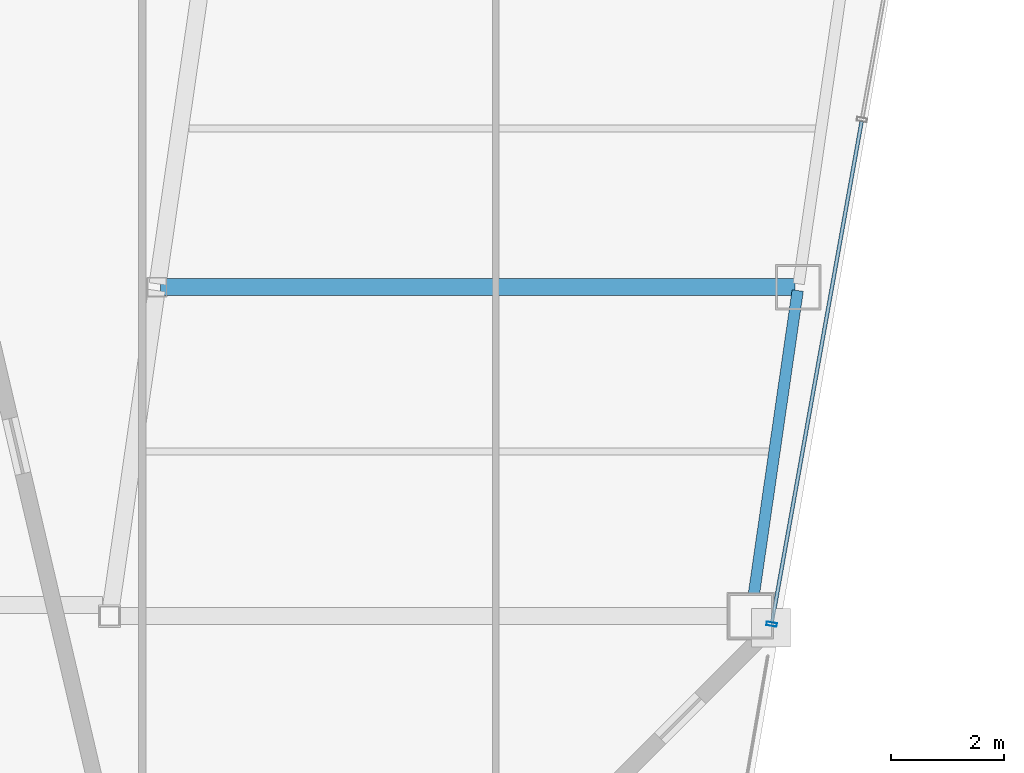
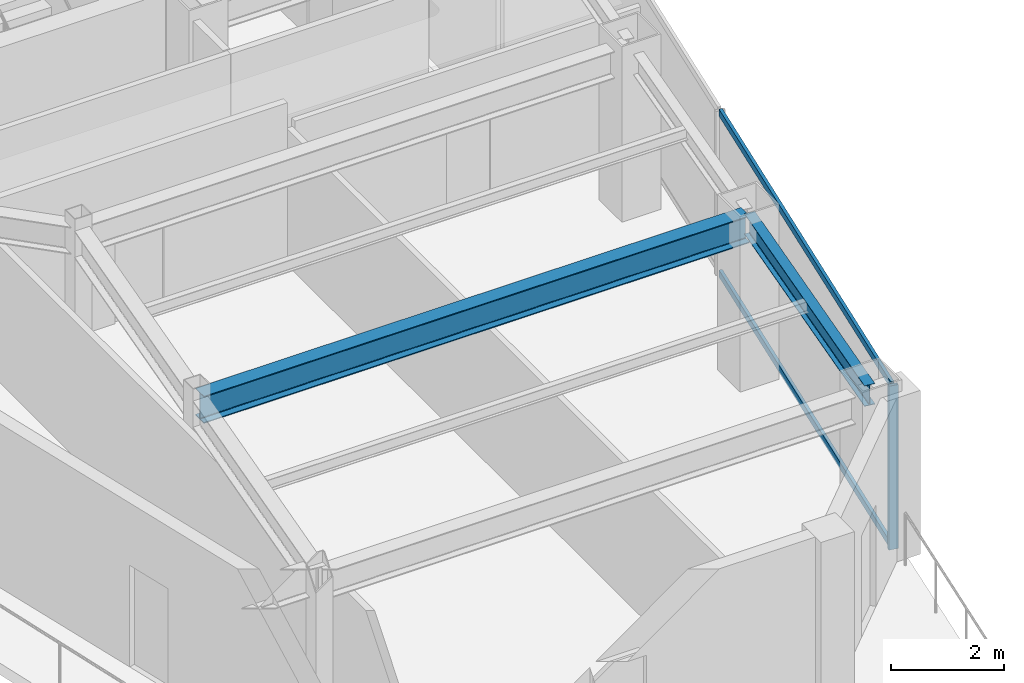
# One storey, part 9 of 28: 3 members, 2 beams, 1 element without a shape of its own.
"""IFC4 building model written with IfcOpenShell, lengths in metres."""

from ifc_helpers import new_model, si_unit, direction, frame, origin, origin_2d, place, context, subcontext, project, spatial, hollow_rectangle, i_section, extrude, material, material_profile, profile_set, type_object, element, aggregate, save


model = new_model("IFC4")

# Units and contexts
model_context = context("Model", 3, precision=1e-05, world=origin(), true_north=direction((0.0, 1.0)))
body_context = subcontext(model_context, "Body", "Model", "MODEL_VIEW")
ifc_project = project(units=[si_unit("LENGTHUNIT", "METRE"), si_unit("AREAUNIT", "SQUARE_METRE"), si_unit("VOLUMEUNIT", "CUBIC_METRE"), si_unit("PLANEANGLEUNIT", "RADIAN"), si_unit("MASSUNIT", "GRAM", prefix="KILO")], contexts=[model_context])

# Site, building, storey
site_placement = place(None, origin())
site = spatial("IfcSite", under=ifc_project, at=site_placement, CompositionType="ELEMENT")
building_placement = place(site_placement, origin())
building = spatial("IfcBuilding", under=site, at=building_placement, Name="Saevonmaru Cultural Tower", CompositionType="ELEMENT")
storey_placement = place(building_placement, frame((0.0, 0.0, 253.39990234375)))
storey = spatial("IfcBuildingStorey", under=building, at=storey_placement, Name="L59", CompositionType="ELEMENT", Elevation=253.39990234375)

# Beams
ifc_material_1 = material(Name="Steel SM355", Category="steel")
ifc_material_profile_1 = material_profile(ifc_material_1, i_section(OverallWidth=0.300048828125, OverallDepth=0.587890625, WebThickness=0.011962890625, FlangeThickness=0.02001953125, FilletRadius=0.02392578125, at=origin_2d()), Name="H-588x300x12x20")
ifc_profile_set_1 = profile_set([ifc_material_profile_1], Name="Steel SM355")
beam_type_1 = type_object("IfcBeamType", Name="BM-G-H588", PredefinedType="BEAM", material=ifc_profile_set_1)
beam_1_placement = place(storey_placement, frame((40.443115234375, 32.0, 3.256103515625), z_axis=(1.0, 0.0, 0.0), x_axis=(0.0, 1.0, 0.0)))
element("IfcBeam", 1, at=beam_1_placement, inside=storey, type_object=beam_type_1, Name="L59 East Wing Transverse Girder 2", PredefinedType="BEAM", context=body_context, shape_type="SweptSolid", body=[
    extrude(i_section(OverallWidth=0.300048828125, OverallDepth=0.587890625, WebThickness=0.011962890625, FlangeThickness=0.02001953125, FilletRadius=0.02392578125, at=origin_2d()), origin(), (0.0, 0.0, 1.0), 11.179931640625),
])
ifc_material_profile_2 = material_profile(ifc_material_1, i_section(OverallWidth=0.199951171875, OverallDepth=0.449951171875, WebThickness=0.009033203125, FlangeThickness=0.013916015625, FilletRadius=0.01806640625, at=origin_2d()), Name="H-450x200x9x14")
ifc_profile_set_2 = profile_set([ifc_material_profile_2], Name="Steel SM355")
beam_type_2 = type_object("IfcBeamType", Name="BM-SP-H450", PredefinedType="SPANDREL", material=ifc_profile_set_2)
beam_2_placement = place(storey_placement, frame((50.8544921875, 26.259521484375, 3.3251953125), z_axis=(0.142826510921, 0.989747739466, 0.0), x_axis=(-0.989747739466, 0.142826510921, 0.0)))
element("IfcBeam", 2, at=beam_2_placement, inside=storey, type_object=beam_type_2, Name="L59 East Splayed Spandrel 1", PredefinedType="SPANDREL", context=body_context, shape_type="SweptSolid", body=[
    extrude(i_section(OverallWidth=0.199951171875, OverallDepth=0.449951171875, WebThickness=0.009033203125, FlangeThickness=0.013916015625, FilletRadius=0.01806640625, at=origin_2d()), origin(), (0.0, 0.0, 1.0), 5.739990234375),
])

# Curtain wall, members
ifc_material_2 = material(Name="Satin Bronze Anodised Aluminium", Category="aluminium")
curtain_wall_type = type_object("IfcCurtainWallType", Name="CW-TYP-B", PredefinedType="NOTDEFINED", material=ifc_material_2)
curtain_wall_placement = place(storey_placement, origin())
curtain_wall = element("IfcCurtainWall", 3, at=curtain_wall_placement, inside=storey, type_object=curtain_wall_type, Name="L59 Unitised Curtain Wall E8", PredefinedType="NOTDEFINED")
ifc_material_profile_3 = material_profile(ifc_material_2, hollow_rectangle(XDim=0.06494140625, YDim=0.179931640625, WallThickness=0.00390625, at=origin_2d()), Name="ALU-MULL-180x65x4")
ifc_profile_set_3 = profile_set([ifc_material_profile_3], Name="Satin Bronze Anodised Aluminium")
member_type_1 = type_object("IfcMemberType", Name="ML-CW-180x65", PredefinedType="MULLION", material=ifc_profile_set_3)
member_1_placement = place(storey_placement, frame((51.215087890625, 26.05908203125, 0.0), z_axis=(0.0, 0.0, 1.0), x_axis=(0.176140740755, 0.984364993001, 0.0)))
member_1 = element("IfcMember", 4, at=member_1_placement, type_object=member_type_1, Name="CW-TW-L59-E8 mullion 1", PredefinedType="MULLION", context=body_context, shape_type="SweptSolid", body=[
    extrude(hollow_rectangle(XDim=0.06494140625, YDim=0.179931640625, WallThickness=0.00390625, at=origin_2d()), origin(), (0.0, 0.0, 1.0), 3.550048828125),
])
ifc_material_profile_4 = material_profile(ifc_material_2, hollow_rectangle(XDim=0.06494140625, YDim=0.14990234375, WallThickness=0.00390625, at=origin_2d()), Name="ALU-TRAN-150x65x4")
ifc_profile_set_4 = profile_set([ifc_material_profile_4], Name="Satin Bronze Anodised Aluminium")
member_type_2 = type_object("IfcMemberType", Name="TR-CW-150x65", PredefinedType="USERDEFINED", material=ifc_profile_set_4)
member_2_placement = place(storey_placement, frame((51.220703125, 26.091064453125, 0.03271484375), z_axis=(0.176144810911, 0.984364264685, 0.0), x_axis=(-0.984364264685, 0.176144810911, 0.0)))
member_2 = element("IfcMember", 5, at=member_2_placement, type_object=member_type_2, Name="CW-TW-L59-E8 transom 1.1", ObjectType="TRANSOM", PredefinedType="USERDEFINED", context=body_context, shape_type="SweptSolid", body=[
    extrude(hollow_rectangle(XDim=0.06494140625, YDim=0.14990234375, WallThickness=0.00390625, at=origin_2d()), origin(), (0.0, 0.0, 1.0), 8.97021484375),
])
member_3_placement = place(storey_placement, frame((51.220703125, 26.091064453125, 3.517578125), z_axis=(0.176144810911, 0.984364264685, 0.0), x_axis=(-0.984364264685, 0.176144810911, 0.0)))
member_3 = element("IfcMember", 6, at=member_3_placement, type_object=member_type_2, Name="CW-TW-L59-E8 transom 1.2", ObjectType="TRANSOM", PredefinedType="USERDEFINED", context=body_context, shape_type="SweptSolid", body=[
    extrude(hollow_rectangle(XDim=0.06494140625, YDim=0.14990234375, WallThickness=0.00390625, at=origin_2d()), origin(), (0.0, 0.0, 1.0), 8.97021484375),
])
aggregate(curtain_wall, [member_1, member_2, member_3])

save(model, "model.ifc")
